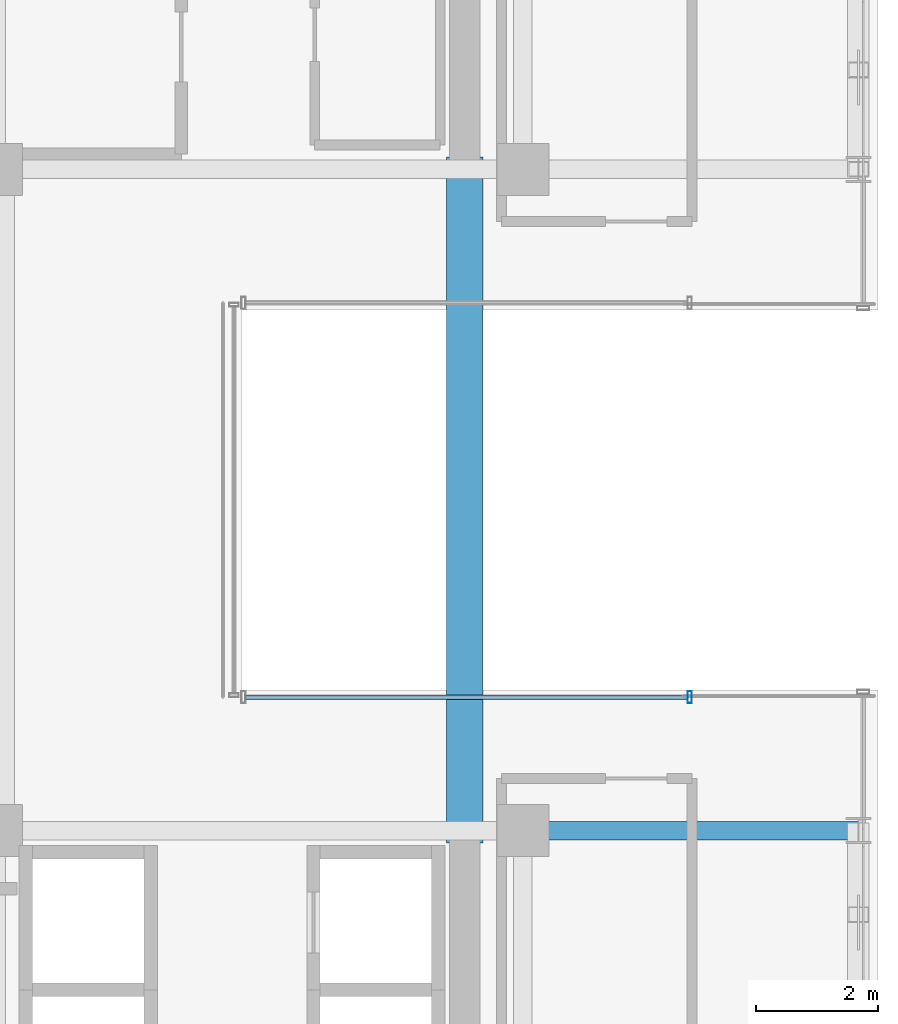
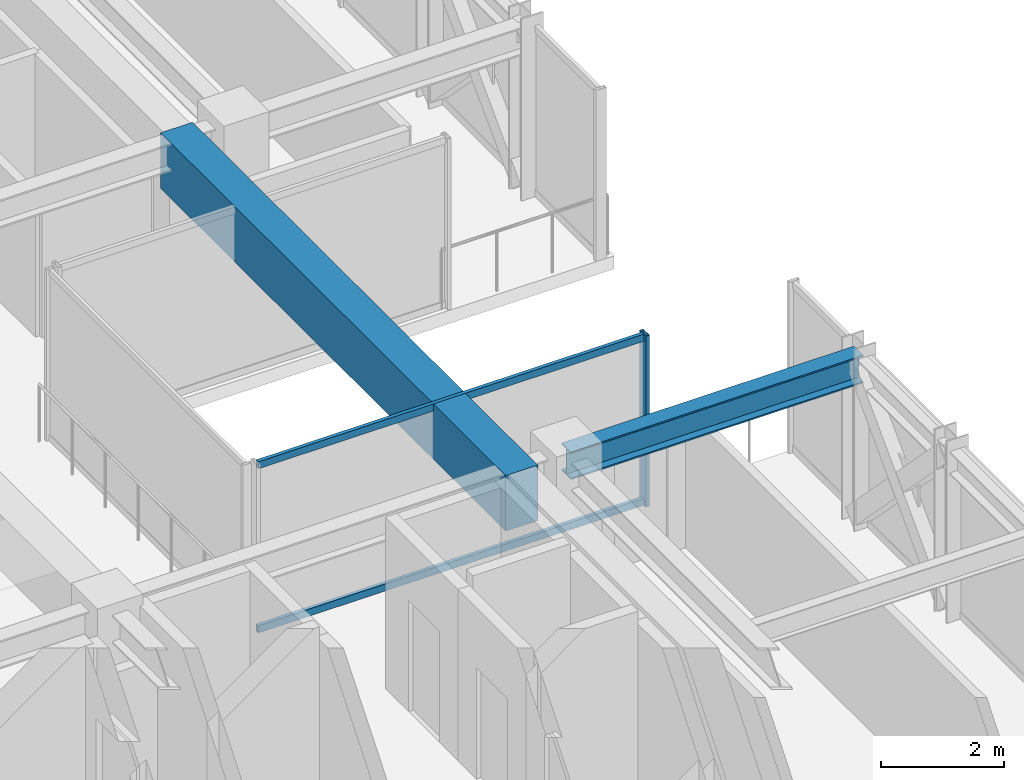
# One storey, part 17 of 37: 3 members, 2 beams, 1 element without a shape of its own.
"""IFC4 building model written with IfcOpenShell, lengths in metres."""

from ifc_helpers import new_model, si_unit, direction, frame, origin, origin_2d, place, context, subcontext, project, spatial, rectangle, hollow_rectangle, i_section, extrude, source, transform, mapped, material, material_profile, profile_set, type_object, element, aggregate, save


model = new_model("IFC4")

# Units and contexts
model_context = context("Model", 3, precision=1e-05, world=origin(), true_north=direction((0.0, 1.0)))
body_context = subcontext(model_context, "Body", "Model", "MODEL_VIEW")
ifc_project = project(units=[si_unit("LENGTHUNIT", "METRE"), si_unit("AREAUNIT", "SQUARE_METRE"), si_unit("VOLUMEUNIT", "CUBIC_METRE"), si_unit("PLANEANGLEUNIT", "RADIAN"), si_unit("MASSUNIT", "GRAM", prefix="KILO")], contexts=[model_context])

# Site, building, storey
site_placement = place(None, origin())
site = spatial("IfcSite", under=ifc_project, at=site_placement, CompositionType="ELEMENT")
building_placement = place(site_placement, origin())
building = spatial("IfcBuilding", under=site, at=building_placement, Name="Nahalor Promenade Grand Hotel", CompositionType="ELEMENT")
storey_placement = place(building_placement, frame((0.0, 0.0, 167.25)))
storey = spatial("IfcBuildingStorey", under=building, at=storey_placement, Name="L42", CompositionType="ELEMENT", Elevation=167.25)

# Beams
ifc_material_1 = material(Name="Concrete B-60 (C50/60)", Category="concrete")
ifc_material_profile_1 = material_profile(ifc_material_1, rectangle(XDim=0.6, YDim=1.1, at=origin_2d()), Name="RC 600x1100")
ifc_profile_set_1 = profile_set([ifc_material_profile_1], Name="Concrete B-60 (C50/60)")
beam_type_1 = type_object("IfcBeamType", Name="Beam-Lintel-RC1100", PredefinedType="LINTEL", material=ifc_profile_set_1)
shared_shape_1 = source(origin(), body_context, "Body", "SweptSolid", [
    extrude(rectangle(XDim=0.6, YDim=1.1, at=origin_2d()), origin(), (0.0, 0.0, 1.0), 11.2001953125),
])
beam_1_placement = place(storey_placement, frame((16.050048828125, -5.60009765625, 2.840087890625), z_axis=(0.0, 1.0, 0.0), x_axis=(-1.0, 0.0, 0.0)))
element("IfcBeam", 1, at=beam_1_placement, inside=storey, type_object=beam_type_1, Name="BM-L42-LINT-E", PredefinedType="LINTEL", context=body_context, shape_type="MappedRepresentation", body=[
    mapped(shared_shape_1, transform((0.0, 0.0, 0.0), scale=1.0)),
])
ifc_material_2 = material(Name="Steel S355JR", Category="steel")
ifc_material_profile_2 = material_profile(ifc_material_2, i_section(OverallWidth=0.3, OverallDepth=0.55, WebThickness=0.015, FlangeThickness=0.029, at=origin_2d()), Name="HEB 550")
ifc_profile_set_2 = profile_set([ifc_material_profile_2], Name="Steel S355JR")
beam_type_2 = type_object("IfcBeamType", Name="Beam-Girder-HEB550", PredefinedType="BEAM", material=ifc_profile_set_2)
shared_shape_2 = source(origin(), body_context, "Body", "SweptSolid", [
    extrude(i_section(OverallWidth=0.3, OverallDepth=0.55, WebThickness=0.015, FlangeThickness=0.029, at=origin_2d()), origin(), (0.0, 0.0, 1.0), 5.47998046875),
])
beam_2_placement = place(storey_placement, frame((17.0, -5.39990234375, 3.114990234375), z_axis=(1.0, 0.0, 0.0), x_axis=(0.0, 1.0, 0.0)))
element("IfcBeam", 2, at=beam_2_placement, inside=storey, type_object=beam_type_2, Name="BM-L42-GX-1-6", PredefinedType="BEAM", context=body_context, shape_type="MappedRepresentation", body=[
    mapped(shared_shape_2, transform((0.0, 0.0, 0.0), scale=1.0)),
])

# Curtain wall, members
ifc_material_3 = material(Name="Anodised Bronze Aluminium EN AW-6063 T6", Category="aluminium")
curtain_wall_type = type_object("IfcCurtainWallType", Name="CW3 Elliptical-Void Collar Unitised Curtain Wall", PredefinedType="USERDEFINED", material=ifc_material_3)
curtain_wall_placement = place(storey_placement, origin())
curtain_wall = element("IfcCurtainWall", 3, at=curtain_wall_placement, inside=storey, type_object=curtain_wall_type, Name="L42 Curtain Wall CW-L42-VOID-ES1", ObjectType="UNITISED_CURTAIN_WALL", PredefinedType="USERDEFINED")
ifc_material_profile_3 = material_profile(ifc_material_3, hollow_rectangle(XDim=0.07, YDim=0.14, WallThickness=0.004, at=origin_2d()), Name="CWT 70x140x4")
ifc_profile_set_3 = profile_set([ifc_material_profile_3], Name="Anodised Bronze Aluminium EN AW-6063 T6")
member_type_1 = type_object("IfcMemberType", Name="CWT3 Void Collar Transom 70x140", PredefinedType="USERDEFINED", material=ifc_profile_set_3)
shared_shape_3 = source(origin(), body_context, "Body", "SweptSolid", [
    extrude(hollow_rectangle(XDim=0.07, YDim=0.14, WallThickness=0.004, at=origin_2d()), origin(), (0.0, 0.0, 1.0), 7.219970703125),
])
member_1_placement = place(storey_placement, frame((12.469970703125, -3.219970703125, 0.070068359375), z_axis=(1.0, 0.0, 0.0), x_axis=(0.0, 1.0, 0.0)))
member_1 = element("IfcMember", 4, at=member_1_placement, type_object=member_type_1, Name="CW-L42-VOID-ES1 Transom 0-0", ObjectType="TRANSOM", PredefinedType="USERDEFINED", context=body_context, shape_type="MappedRepresentation", body=[
    mapped(shared_shape_3, transform((0.0, 0.0, 0.0), scale=1.0)),
])
member_2_placement = place(storey_placement, frame((12.469970703125, -3.219970703125, 3.320068359375), z_axis=(1.0, 0.0, 0.0), x_axis=(0.0, 1.0, 0.0)))
member_2 = element("IfcMember", 5, at=member_2_placement, type_object=member_type_1, Name="CW-L42-VOID-ES1 Transom 0-1", ObjectType="TRANSOM", PredefinedType="USERDEFINED", context=body_context, shape_type="MappedRepresentation", body=[
    mapped(shared_shape_3, transform((0.0, 0.0, 0.0), scale=1.0)),
])
ifc_material_profile_4 = material_profile(ifc_material_3, hollow_rectangle(XDim=0.07, YDim=0.2, WallThickness=0.005, at=origin_2d()), Name="CWM 70x200x5")
ifc_profile_set_4 = profile_set([ifc_material_profile_4], Name="Anodised Bronze Aluminium EN AW-6063 T6")
member_type_2 = type_object("IfcMemberType", Name="CWM3 Void Collar Mullion 70x200", PredefinedType="MULLION", material=ifc_profile_set_4)
shared_shape_4 = source(origin(), body_context, "Body", "SweptSolid", [
    extrude(hollow_rectangle(XDim=0.07, YDim=0.2, WallThickness=0.005, at=origin_2d()), origin(), (0.0, 0.0, 1.0), 3.389892578125),
])
member_3_placement = place(storey_placement, frame((19.72509765625, -3.219970703125, 0.0), z_axis=(0.0, 0.0, 1.0), x_axis=(1.0, 0.0, 0.0)))
member_3 = element("IfcMember", 6, at=member_3_placement, type_object=member_type_2, Name="CW-L42-VOID-ES1 Mullion 1", PredefinedType="MULLION", context=body_context, shape_type="MappedRepresentation", body=[
    mapped(shared_shape_4, transform((0.0, 0.0, 0.0), scale=1.0)),
])
aggregate(curtain_wall, [member_3, member_1, member_2])

save(model, "model.ifc")
